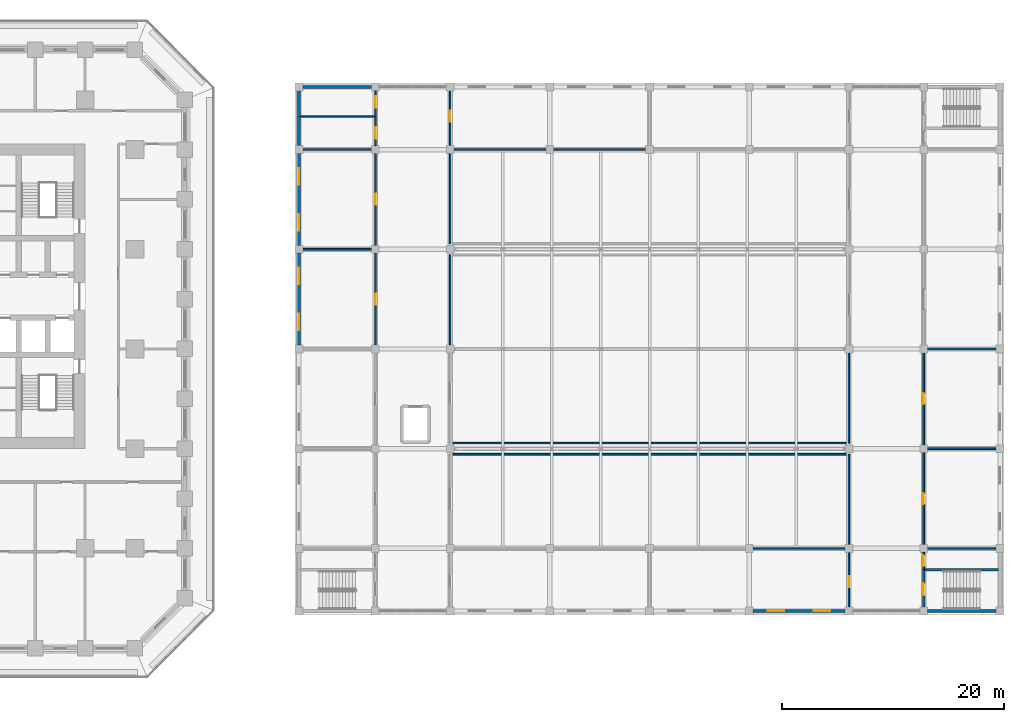
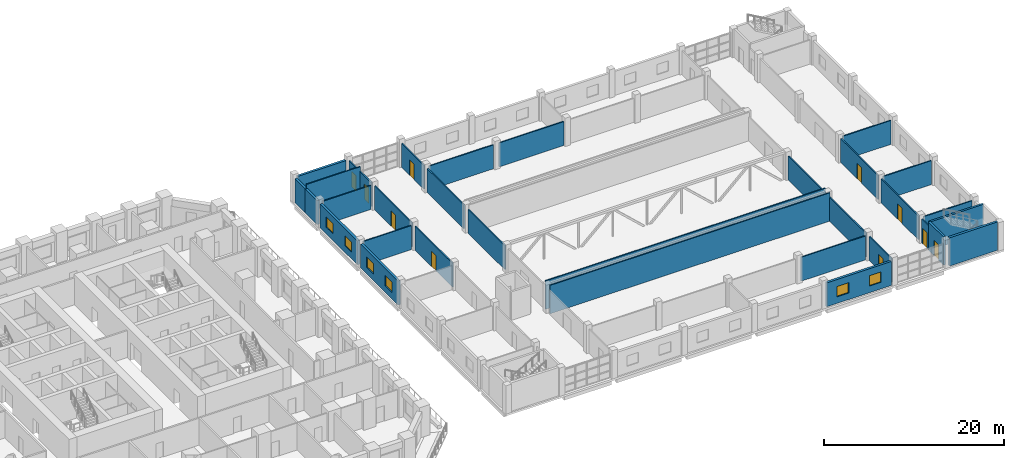
# One storey, part 32 of 42: 33 walls, 10 doors, 6 windows, 16 openings.
"""IFC4 building model written with IfcOpenShell, lengths in metres."""

from ifc_helpers import new_model, si_unit, direction, frame, frame_2d, origin, place, context, subcontext, project, spatial, rectangle, extrude, material, layer, layer_set, type_object, element, fill, save


model = new_model("IFC4")

# Units and contexts
model_context = context("Model", 3, precision=1e-05, world=origin(), true_north=direction((0.0, 1.0)))
body_context = subcontext(model_context, "Body", "Model", "MODEL_VIEW")
ifc_project = project(units=[si_unit("LENGTHUNIT", "METRE"), si_unit("AREAUNIT", "SQUARE_METRE"), si_unit("VOLUMEUNIT", "CUBIC_METRE"), si_unit("PLANEANGLEUNIT", "RADIAN"), si_unit("MASSUNIT", "GRAM", prefix="KILO")], contexts=[model_context])

# Site, building, storey
site_placement = place(None, origin())
site = spatial("IfcSite", under=ifc_project, at=site_placement, CompositionType="ELEMENT")
building_placement = place(site_placement, origin())
building = spatial("IfcBuilding", under=site, at=building_placement, Name="Corbel Stack Research Tower", CompositionType="ELEMENT")
storey_placement = place(building_placement, frame((0.0, 0.0, 11.300048828125)))
storey = spatial("IfcBuildingStorey", under=building, at=storey_placement, Name="L02", CompositionType="ELEMENT", Elevation=11.300048828125)

# Wall, openings, windows
ifc_material_1 = material(Name="Concrete C40/50", Category="concrete")
ifc_layer_1 = layer(ifc_material_1, 0.300048828125)
ifc_layer_set_1 = layer_set([ifc_layer_1], Name="Concrete C40/50")
wall_type_1 = type_object("IfcWallType", Name="HW1 exterior wall 300", PredefinedType="SOLIDWALL", material=ifc_layer_set_1)
wall_1_placement = place(storey_placement, frame((78.300048828125, -23.64990234375, 0.0), z_axis=(0.0, 0.0, 1.0), x_axis=(1.0, 0.0, 0.0)))
wall_1 = element("IfcWall", 1, at=wall_1_placement, inside=storey, type_object=wall_type_1, Name="Exterior wall L02 h-23.65/78.3", PredefinedType="SOLIDWALL", context=body_context, shape_type="SweptSolid", body=[
    extrude(rectangle(XDim=8.300048828125, YDim=0.300048828125, at=frame_2d((4.14990234375, 0.0))), origin(), (0.0, 0.0, 1.0), 3.25),
])
opening_1_placement = place(wall_1_placement, frame((1.324951171875, 0.0, 0.89990234375)))
opening_1 = element("IfcOpeningElement", 2, at=opening_1_placement, cuts=wall_1, Name="Opening HX1", PredefinedType="OPENING", context=body_context, shape_type="SweptSolid", body=[
    extrude(rectangle(XDim=1.5, YDim=1.39990234375, at=frame_2d((0.75, 0.699951171875))), frame((0.0, 0.159912109375, 0.0), z_axis=(0.0, -1.0, 0.0), x_axis=(1.0, 0.0, 0.0)), (0.0, 0.0, 1.0), 0.320068359375),
])
opening_2_placement = place(wall_1_placement, frame((5.47509765625, 0.0, 0.89990234375)))
opening_2 = element("IfcOpeningElement", 3, at=opening_2_placement, cuts=wall_1, Name="Opening HX1", PredefinedType="OPENING", context=body_context, shape_type="SweptSolid", body=[
    extrude(rectangle(XDim=1.5, YDim=1.39990234375, at=frame_2d((0.75, 0.699951171875))), frame((0.0, 0.159912109375, 0.0), z_axis=(0.0, -1.0, 0.0), x_axis=(1.0, 0.0, 0.0)), (0.0, 0.0, 1.0), 0.320068359375),
])
ifc_material_2 = material(Name="Glass and aluminium", Category="aluminium")
window_type = type_object("IfcWindowType", Name="HW6 window 1500 x 1400", PartitioningType="SINGLE_PANEL", PredefinedType="WINDOW", material=ifc_material_2)
window_1_placement = place(opening_1_placement, origin())
window_1 = element("IfcWindow", 4, at=window_1_placement, inside=storey, type_object=window_type, Name="Window L02 Club room 2", OverallHeight=1.39990234375, OverallWidth=1.5, PartitioningType="SINGLE_PANEL", PredefinedType="WINDOW", context=body_context, shape_type="SweptSolid", body=[
    extrude(rectangle(XDim=1.5, YDim=1.39990234375, at=frame_2d((0.75, 0.699951171875))), frame((0.0, 0.030029296875, 0.0), z_axis=(0.0, -1.0, 0.0), x_axis=(1.0, 0.0, 0.0)), (0.0, 0.0, 1.0), 0.06005859375),
])
fill(opening_1, window_1)
window_2_placement = place(opening_2_placement, origin())
window_2 = element("IfcWindow", 5, at=window_2_placement, inside=storey, type_object=window_type, Name="Window L02 Club room 2", OverallHeight=1.39990234375, OverallWidth=1.5, PartitioningType="SINGLE_PANEL", PredefinedType="WINDOW", context=body_context, shape_type="SweptSolid", body=[
    extrude(rectangle(XDim=1.5, YDim=1.39990234375, at=frame_2d((0.75, 0.699951171875))), frame((0.0, 0.030029296875, 0.0), z_axis=(0.0, -1.0, 0.0), x_axis=(1.0, 0.0, 0.0)), (0.0, 0.0, 1.0), 0.06005859375),
])
fill(opening_2, window_2)

# Wall
wall_2_placement = place(storey_placement, frame((37.64990234375, 23.64990234375, 0.0), z_axis=(0.0, 0.0, 1.0), x_axis=(1.0, 0.0, 0.0)))
element("IfcWall", 6, at=wall_2_placement, inside=storey, type_object=wall_type_1, Name="Exterior wall L02 h23.65/37.6", PredefinedType="SOLIDWALL", context=body_context, shape_type="SweptSolid", body=[
    extrude(rectangle(XDim=6.2001953125, YDim=0.300048828125, at=frame_2d((3.10009765625, 0.0))), origin(), (0.0, 0.0, 1.0), 3.25),
])

# Wall, openings, windows
wall_3_placement = place(storey_placement, frame((37.300048828125, 0.35009765625, 0.0), z_axis=(0.0, 0.0, 1.0), x_axis=(0.0, 1.0, 0.0)))
wall_3 = element("IfcWall", 7, at=wall_3_placement, inside=storey, type_object=wall_type_1, Name="Exterior wall L02 v37.30/0.3", PredefinedType="SOLIDWALL", context=body_context, shape_type="SweptSolid", body=[
    extrude(rectangle(XDim=8.2998046875, YDim=0.300048828125, at=frame_2d((4.14990234375, 0.0))), origin(), (0.0, 0.0, 1.0), 3.25),
])
opening_3_placement = place(wall_3_placement, frame((1.324951171875, 0.0, 0.89990234375)))
opening_3 = element("IfcOpeningElement", 8, at=opening_3_placement, cuts=wall_3, Name="Opening HX1", PredefinedType="OPENING", context=body_context, shape_type="SweptSolid", body=[
    extrude(rectangle(XDim=1.5, YDim=1.39990234375, at=frame_2d((0.75, 0.699951171875))), frame((0.0, 0.159912109375, 0.0), z_axis=(0.0, -1.0, 0.0), x_axis=(1.0, 0.0, 0.0)), (0.0, 0.0, 1.0), 0.320068359375),
])
opening_4_placement = place(wall_3_placement, frame((5.47509765625, 0.0, 0.89990234375)))
opening_4 = element("IfcOpeningElement", 9, at=opening_4_placement, cuts=wall_3, Name="Opening HX1", PredefinedType="OPENING", context=body_context, shape_type="SweptSolid", body=[
    extrude(rectangle(XDim=1.5, YDim=1.39990234375, at=frame_2d((0.75, 0.699951171875))), frame((0.0, 0.159912109375, 0.0), z_axis=(0.0, -1.0, 0.0), x_axis=(1.0, 0.0, 0.0)), (0.0, 0.0, 1.0), 0.320068359375),
])
window_3_placement = place(opening_3_placement, origin())
window_3 = element("IfcWindow", 10, at=window_3_placement, inside=storey, type_object=window_type, Name="Window L02 Meeting room 1", OverallHeight=1.39990234375, OverallWidth=1.5, PartitioningType="SINGLE_PANEL", PredefinedType="WINDOW", context=body_context, shape_type="SweptSolid", body=[
    extrude(rectangle(XDim=1.5, YDim=1.39990234375, at=frame_2d((0.75, 0.699951171875))), frame((0.0, 0.030029296875, 0.0), z_axis=(0.0, -1.0, 0.0), x_axis=(1.0, 0.0, 0.0)), (0.0, 0.0, 1.0), 0.06005859375),
])
fill(opening_3, window_3)
window_4_placement = place(opening_4_placement, origin())
window_4 = element("IfcWindow", 11, at=window_4_placement, inside=storey, type_object=window_type, Name="Window L02 Meeting room 1", OverallHeight=1.39990234375, OverallWidth=1.5, PartitioningType="SINGLE_PANEL", PredefinedType="WINDOW", context=body_context, shape_type="SweptSolid", body=[
    extrude(rectangle(XDim=1.5, YDim=1.39990234375, at=frame_2d((0.75, 0.699951171875))), frame((0.0, 0.030029296875, 0.0), z_axis=(0.0, -1.0, 0.0), x_axis=(1.0, 0.0, 0.0)), (0.0, 0.0, 1.0), 0.06005859375),
])
fill(opening_4, window_4)

wall_4_placement = place(storey_placement, frame((37.300048828125, 9.35009765625, 0.0), z_axis=(0.0, 0.0, 1.0), x_axis=(0.0, 1.0, 0.0)))
wall_4 = element("IfcWall", 12, at=wall_4_placement, inside=storey, type_object=wall_type_1, Name="Exterior wall L02 v37.30/9.3", PredefinedType="SOLIDWALL", context=body_context, shape_type="SweptSolid", body=[
    extrude(rectangle(XDim=8.2998046875, YDim=0.300048828125, at=frame_2d((4.14990234375, 0.0))), origin(), (0.0, 0.0, 1.0), 3.25),
])
opening_5_placement = place(wall_4_placement, frame((1.324951171875, 0.0, 0.89990234375)))
opening_5 = element("IfcOpeningElement", 13, at=opening_5_placement, cuts=wall_4, Name="Opening HX1", PredefinedType="OPENING", context=body_context, shape_type="SweptSolid", body=[
    extrude(rectangle(XDim=1.5, YDim=1.39990234375, at=frame_2d((0.75, 0.699951171875))), frame((0.0, 0.159912109375, 0.0), z_axis=(0.0, -1.0, 0.0), x_axis=(1.0, 0.0, 0.0)), (0.0, 0.0, 1.0), 0.320068359375),
])
opening_6_placement = place(wall_4_placement, frame((5.47509765625, 0.0, 0.89990234375)))
opening_6 = element("IfcOpeningElement", 14, at=opening_6_placement, cuts=wall_4, Name="Opening HX1", PredefinedType="OPENING", context=body_context, shape_type="SweptSolid", body=[
    extrude(rectangle(XDim=1.5, YDim=1.39990234375, at=frame_2d((0.75, 0.699951171875))), frame((0.0, 0.159912109375, 0.0), z_axis=(0.0, -1.0, 0.0), x_axis=(1.0, 0.0, 0.0)), (0.0, 0.0, 1.0), 0.320068359375),
])
window_5_placement = place(opening_5_placement, origin())
window_5 = element("IfcWindow", 15, at=window_5_placement, inside=storey, type_object=window_type, Name="Window L02 Office 3", OverallHeight=1.39990234375, OverallWidth=1.5, PartitioningType="SINGLE_PANEL", PredefinedType="WINDOW", context=body_context, shape_type="SweptSolid", body=[
    extrude(rectangle(XDim=1.5, YDim=1.39990234375, at=frame_2d((0.75, 0.699951171875))), frame((0.0, 0.030029296875, 0.0), z_axis=(0.0, -1.0, 0.0), x_axis=(1.0, 0.0, 0.0)), (0.0, 0.0, 1.0), 0.06005859375),
])
fill(opening_5, window_5)
window_6_placement = place(opening_6_placement, origin())
window_6 = element("IfcWindow", 16, at=window_6_placement, inside=storey, type_object=window_type, Name="Window L02 Office 3", OverallHeight=1.39990234375, OverallWidth=1.5, PartitioningType="SINGLE_PANEL", PredefinedType="WINDOW", context=body_context, shape_type="SweptSolid", body=[
    extrude(rectangle(XDim=1.5, YDim=1.39990234375, at=frame_2d((0.75, 0.699951171875))), frame((0.0, 0.030029296875, 0.0), z_axis=(0.0, -1.0, 0.0), x_axis=(1.0, 0.0, 0.0)), (0.0, 0.0, 1.0), 0.06005859375),
])
fill(opening_6, window_6)

# Walls
wall_5_placement = place(storey_placement, frame((37.300048828125, 18.35009765625, 0.0), z_axis=(0.0, 0.0, 1.0), x_axis=(0.0, 1.0, 0.0)))
element("IfcWall", 17, at=wall_5_placement, inside=storey, type_object=wall_type_1, Name="Exterior wall L02 v37.30/18.4", PredefinedType="SOLIDWALL", context=body_context, shape_type="SweptSolid", body=[
    extrude(rectangle(XDim=2.64990234375, YDim=0.300048828125, at=frame_2d((1.324951171875, 0.0))), origin(), (0.0, 0.0, 1.0), 3.25),
])
wall_6_placement = place(storey_placement, frame((37.300048828125, 21.0, 0.0), z_axis=(0.0, 0.0, 1.0), x_axis=(0.0, 1.0, 0.0)))
element("IfcWall", 18, at=wall_6_placement, inside=storey, type_object=wall_type_1, Name="Exterior wall L02 v37.30/21.0", PredefinedType="SOLIDWALL", context=body_context, shape_type="SweptSolid", body=[
    extrude(rectangle(XDim=2.300048828125, YDim=0.300048828125, at=frame_2d((1.14990234375, 0.0))), origin(), (0.0, 0.0, 1.0), 3.25),
])
ifc_material_3 = material(Name="Concrete C40/50", Category="concrete")
ifc_layer_2 = layer(ifc_material_3, 0.25)
ifc_layer_set_2 = layer_set([ifc_layer_2], Name="Concrete C40/50")
wall_type_2 = type_object("IfcWallType", Name="HW2 core wall C40/50 250", PredefinedType="SHEAR", material=ifc_layer_set_2)
wall_7_placement = place(storey_placement, frame((93.699951171875, -19.925048828125, 0.0), z_axis=(0.0, 0.0, 1.0), x_axis=(1.0, 0.0, 0.0)))
element("IfcWall", 19, at=wall_7_placement, inside=storey, type_object=wall_type_2, Name="Wall L02 h-19.93/93.7", PredefinedType="SHEAR", context=body_context, shape_type="SweptSolid", body=[
    extrude(rectangle(XDim=6.900146484375, YDim=0.25, at=frame_2d((3.4501953125, 0.0))), origin(), (0.0, 0.0, 1.0), 3.849853515625),
])

# Wall, opening, door
wall_8_placement = place(storey_placement, frame((93.699951171875, -23.300048828125, 0.0), z_axis=(0.0, 0.0, 1.0), x_axis=(0.0, 1.0, 0.0)))
wall_8 = element("IfcWall", 20, at=wall_8_placement, inside=storey, type_object=wall_type_2, Name="Wall L02 v93.70/-23.3", PredefinedType="SHEAR", context=body_context, shape_type="SweptSolid", body=[
    extrude(rectangle(XDim=3.375, YDim=0.25, at=frame_2d((1.6875, 0.0))), origin(), (0.0, 0.0, 1.0), 3.849853515625),
])
opening_7_placement = place(wall_8_placement, frame((1.050048828125, 0.0, 0.0)))
opening_7 = element("IfcOpeningElement", 21, at=opening_7_placement, cuts=wall_8, Name="Opening H2-18", PredefinedType="OPENING", context=body_context, shape_type="SweptSolid", body=[
    extrude(rectangle(XDim=1.10009765625, YDim=2.10009765625, at=frame_2d((0.550048828125, 1.050048828125))), frame((0.0, 0.135009765625, 0.0), z_axis=(0.0, -1.0, 0.0), x_axis=(1.0, 0.0, 0.0)), (0.0, 0.0, 1.0), 0.27001953125),
])
ifc_material_4 = material(Name="Steel", Category="steel")
door_type_1 = type_object("IfcDoorType", Name="HD4 fire door 1100 x 2100", OperationType="NOTDEFINED", PredefinedType="DOOR", material=ifc_material_4)
door_1_placement = place(opening_7_placement, origin())
door_1 = element("IfcDoor", 22, at=door_1_placement, inside=storey, type_object=door_type_1, Name="Door H2-18", OperationType="SINGLE_SWING_LEFT", OverallHeight=2.10009765625, OverallWidth=1.10009765625, PredefinedType="DOOR", context=body_context, shape_type="SweptSolid", body=[
    extrude(rectangle(XDim=1.10009765625, YDim=2.10009765625, at=frame_2d((0.550048828125, 1.050048828125))), frame((0.0, 0.02490234375, 0.0), z_axis=(0.0, -1.0, 0.0), x_axis=(1.0, 0.0, 0.0)), (0.0, 0.0, 1.0), 0.050048828125),
])
fill(opening_7, door_1)

# Walls
ifc_material_5 = material(Name="Concrete masonry unit", Category="masonry")
ifc_layer_3 = layer(ifc_material_5, 0.14990234375)
ifc_layer_set_3 = layer_set([ifc_layer_3], Name="Concrete masonry unit")
wall_type_3 = type_object("IfcWallType", Name="HW3 partition 150", PredefinedType="PARTITIONING", material=ifc_layer_set_3)
wall_9_placement = place(storey_placement, frame((78.300048828125, -18.0, 0.0), z_axis=(0.0, 0.0, 1.0), x_axis=(1.0, 0.0, 0.0)))
element("IfcWall", 23, at=wall_9_placement, inside=storey, type_object=wall_type_3, Name="Wall L02 h-18.00/78.3", PredefinedType="PARTITIONING", context=body_context, shape_type="SweptSolid", body=[
    extrude(rectangle(XDim=8.300048828125, YDim=0.14990234375, at=frame_2d((4.14990234375, 0.0))), origin(), (0.0, 0.0, 1.0), 3.25),
])
wall_10_placement = place(storey_placement, frame((94.050048828125, -18.0, 0.0), z_axis=(0.0, 0.0, 1.0), x_axis=(1.0, 0.0, 0.0)))
element("IfcWall", 24, at=wall_10_placement, inside=storey, type_object=wall_type_3, Name="Wall L02 h-18.00/94.0", PredefinedType="PARTITIONING", context=body_context, shape_type="SweptSolid", body=[
    extrude(rectangle(XDim=6.199951171875, YDim=0.14990234375, at=frame_2d((3.10009765625, 0.0))), origin(), (0.0, 0.0, 1.0), 3.25),
])
wall_11_placement = place(storey_placement, frame((50.949951171875, -9.5, 0.0), z_axis=(0.0, 0.0, 1.0), x_axis=(1.0, 0.0, 0.0)))
element("IfcWall", 25, at=wall_11_placement, inside=storey, type_object=wall_type_3, Name="Wall L02 h-9.50/51.0", PredefinedType="PARTITIONING", context=body_context, shape_type="SweptSolid", body=[
    extrude(rectangle(XDim=36.0, YDim=0.14990234375, at=frame_2d((18.0, 0.0))), origin(), (0.0, 0.0, 1.0), 3.849853515625),
])
wall_12_placement = place(storey_placement, frame((94.050048828125, -9.0, 0.0), z_axis=(0.0, 0.0, 1.0), x_axis=(1.0, 0.0, 0.0)))
element("IfcWall", 26, at=wall_12_placement, inside=storey, type_object=wall_type_3, Name="Wall L02 h-9.00/94.0", PredefinedType="PARTITIONING", context=body_context, shape_type="SweptSolid", body=[
    extrude(rectangle(XDim=6.199951171875, YDim=0.14990234375, at=frame_2d((3.10009765625, 0.0))), origin(), (0.0, 0.0, 1.0), 3.25),
])
wall_13_placement = place(storey_placement, frame((50.949951171875, -8.5, 0.0), z_axis=(0.0, 0.0, 1.0), x_axis=(1.0, 0.0, 0.0)))
element("IfcWall", 27, at=wall_13_placement, inside=storey, type_object=wall_type_3, Name="Wall L02 h-8.50/51.0", PredefinedType="PARTITIONING", context=body_context, shape_type="SweptSolid", body=[
    extrude(rectangle(XDim=36.0, YDim=0.14990234375, at=frame_2d((18.0, 0.0))), origin(), (0.0, 0.0, 1.0), 3.849853515625),
])
wall_14_placement = place(storey_placement, frame((94.050048828125, 0.0, 0.0), z_axis=(0.0, 0.0, 1.0), x_axis=(1.0, 0.0, 0.0)))
element("IfcWall", 28, at=wall_14_placement, inside=storey, type_object=wall_type_3, Name="Wall L02 h0.00/94.0", PredefinedType="PARTITIONING", context=body_context, shape_type="SweptSolid", body=[
    extrude(rectangle(XDim=6.199951171875, YDim=0.14990234375, at=frame_2d((3.10009765625, 0.0))), origin(), (0.0, 0.0, 1.0), 3.25),
])
for number, where, z_axis, x_axis, name in (
    (29, (37.64990234375, 9.0, 0.0), (0.0, 0.0, 1.0), (1.0, 0.0, 0.0), "Wall L02 h9.00/37.6"),
    (30, (37.64990234375, 18.0, 0.0), (0.0, 0.0, 1.0), (1.0, 0.0, 0.0), "Wall L02 h18.00/37.6"),
):
    element("IfcWall", number, at=place(storey_placement, frame(where, z_axis=z_axis, x_axis=x_axis)), inside=storey, type_object=wall_type_3, Name=name, PredefinedType="PARTITIONING", context=body_context, shape_type="SweptSolid", body=[
        extrude(rectangle(XDim=6.2001953125, YDim=0.14990234375, at=frame_2d((3.10009765625, 0.0))), origin(), (0.0, 0.0, 1.0), 3.25),
    ])
for number, where, z_axis, x_axis, name in (
    (31, (51.300048828125, 18.0, 0.0), (0.0, 0.0, 1.0), (1.0, 0.0, 0.0), "Wall L02 h18.00/51.3"),
    (32, (60.300048828125, 18.0, 0.0), (0.0, 0.0, 1.0), (1.0, 0.0, 0.0), "Wall L02 h18.00/60.3"),
):
    element("IfcWall", number, at=place(storey_placement, frame(where, z_axis=z_axis, x_axis=x_axis)), inside=storey, type_object=wall_type_3, Name=name, PredefinedType="PARTITIONING", context=body_context, shape_type="SweptSolid", body=[
        extrude(rectangle(XDim=8.300048828125, YDim=0.14990234375, at=frame_2d((4.14990234375, 0.0))), origin(), (0.0, 0.0, 1.0), 3.25),
    ])
wall_15_placement = place(storey_placement, frame((37.300048828125, 21.0, 0.0), z_axis=(0.0, 0.0, 1.0), x_axis=(1.0, 0.0, 0.0)))
element("IfcWall", 33, at=wall_15_placement, inside=storey, type_object=wall_type_3, Name="Wall L02 h21.00/37.3", PredefinedType="PARTITIONING", context=body_context, shape_type="SweptSolid", body=[
    extrude(rectangle(XDim=6.89990234375, YDim=0.14990234375, at=frame_2d((3.449951171875, 0.0))), origin(), (0.0, 0.0, 1.0), 3.849853515625),
])

# Wall, opening, door
wall_16_placement = place(storey_placement, frame((44.199951171875, 0.35009765625, 0.0), z_axis=(0.0, 0.0, 1.0), x_axis=(0.0, 1.0, 0.0)))
wall_16 = element("IfcWall", 34, at=wall_16_placement, inside=storey, type_object=wall_type_3, Name="Wall L02 v44.20/0.3", PredefinedType="PARTITIONING", context=body_context, shape_type="SweptSolid", body=[
    extrude(rectangle(XDim=8.2998046875, YDim=0.14990234375, at=frame_2d((4.14990234375, 0.0))), origin(), (0.0, 0.0, 1.0), 3.25),
])
opening_8_placement = place(wall_16_placement, frame((3.64990234375, 0.0, 0.0)))
opening_8 = element("IfcOpeningElement", 35, at=opening_8_placement, cuts=wall_16, Name="Opening H2-06", PredefinedType="OPENING", context=body_context, shape_type="SweptSolid", body=[
    extrude(rectangle(XDim=1.0, YDim=2.10009765625, at=frame_2d((0.5, 1.050048828125))), frame((0.0, 0.0849609375, 0.0), z_axis=(0.0, -1.0, 0.0), x_axis=(1.0, 0.0, 0.0)), (0.0, 0.0, 1.0), 0.169921875),
])
ifc_material_6 = material(Name="Timber", Category="wood")
door_type_2 = type_object("IfcDoorType", Name="HD1 single door 1000 x 2100", OperationType="NOTDEFINED", PredefinedType="DOOR", material=ifc_material_6)
door_2_placement = place(opening_8_placement, origin())
door_2 = element("IfcDoor", 36, at=door_2_placement, inside=storey, type_object=door_type_2, Name="Door H2-06", OperationType="SINGLE_SWING_LEFT", OverallHeight=2.10009765625, OverallWidth=1.0, PredefinedType="DOOR", context=body_context, shape_type="SweptSolid", body=[
    extrude(rectangle(XDim=1.0, YDim=2.10009765625, at=frame_2d((0.5, 1.050048828125))), frame((0.0, 0.02490234375, 0.0), z_axis=(0.0, -1.0, 0.0), x_axis=(1.0, 0.0, 0.0)), (0.0, 0.0, 1.0), 0.050048828125),
])
fill(opening_8, door_2)

wall_17_placement = place(storey_placement, frame((44.199951171875, 9.35009765625, 0.0), z_axis=(0.0, 0.0, 1.0), x_axis=(0.0, 1.0, 0.0)))
wall_17 = element("IfcWall", 37, at=wall_17_placement, inside=storey, type_object=wall_type_3, Name="Wall L02 v44.20/9.3", PredefinedType="PARTITIONING", context=body_context, shape_type="SweptSolid", body=[
    extrude(rectangle(XDim=8.2998046875, YDim=0.14990234375, at=frame_2d((4.14990234375, 0.0))), origin(), (0.0, 0.0, 1.0), 3.25),
])
opening_9_placement = place(wall_17_placement, frame((3.64990234375, 0.0, 0.0)))
opening_9 = element("IfcOpeningElement", 38, at=opening_9_placement, cuts=wall_17, Name="Opening H2-07", PredefinedType="OPENING", context=body_context, shape_type="SweptSolid", body=[
    extrude(rectangle(XDim=1.0, YDim=2.10009765625, at=frame_2d((0.5, 1.050048828125))), frame((0.0, 0.0849609375, 0.0), z_axis=(0.0, -1.0, 0.0), x_axis=(1.0, 0.0, 0.0)), (0.0, 0.0, 1.0), 0.169921875),
])
door_3_placement = place(opening_9_placement, origin())
door_3 = element("IfcDoor", 39, at=door_3_placement, inside=storey, type_object=door_type_2, Name="Door H2-07", OperationType="SINGLE_SWING_RIGHT", OverallHeight=2.10009765625, OverallWidth=1.0, PredefinedType="DOOR", context=body_context, shape_type="SweptSolid", body=[
    extrude(rectangle(XDim=1.0, YDim=2.10009765625, at=frame_2d((0.5, 1.050048828125))), frame((0.0, 0.02490234375, 0.0), z_axis=(0.0, -1.0, 0.0), x_axis=(1.0, 0.0, 0.0)), (0.0, 0.0, 1.0), 0.050048828125),
])
fill(opening_9, door_3)

wall_18_placement = place(storey_placement, frame((44.199951171875, 18.35009765625, 0.0), z_axis=(0.0, 0.0, 1.0), x_axis=(0.0, 1.0, 0.0)))
wall_18 = element("IfcWall", 40, at=wall_18_placement, inside=storey, type_object=wall_type_3, Name="Wall L02 v44.20/18.4", PredefinedType="PARTITIONING", context=body_context, shape_type="SweptSolid", body=[
    extrude(rectangle(XDim=2.64990234375, YDim=0.14990234375, at=frame_2d((1.324951171875, 0.0))), origin(), (0.0, 0.0, 1.0), 3.25),
])
opening_10_placement = place(wall_18_placement, frame((0.64990234375, 0.0, 0.0)))
opening_10 = element("IfcOpeningElement", 41, at=opening_10_placement, cuts=wall_18, Name="Opening H2-08", PredefinedType="OPENING", context=body_context, shape_type="SweptSolid", body=[
    extrude(rectangle(XDim=1.0, YDim=2.10009765625, at=frame_2d((0.5, 1.050048828125))), frame((0.0, 0.0849609375, 0.0), z_axis=(0.0, -1.0, 0.0), x_axis=(1.0, 0.0, 0.0)), (0.0, 0.0, 1.0), 0.169921875),
])
door_4_placement = place(opening_10_placement, origin())
door_4 = element("IfcDoor", 42, at=door_4_placement, inside=storey, type_object=door_type_2, Name="Door H2-08", OperationType="SINGLE_SWING_LEFT", OverallHeight=2.10009765625, OverallWidth=1.0, PredefinedType="DOOR", context=body_context, shape_type="SweptSolid", body=[
    extrude(rectangle(XDim=1.0, YDim=2.10009765625, at=frame_2d((0.5, 1.050048828125))), frame((0.0, 0.02490234375, 0.0), z_axis=(0.0, -1.0, 0.0), x_axis=(1.0, 0.0, 0.0)), (0.0, 0.0, 1.0), 0.050048828125),
])
fill(opening_10, door_4)

wall_19_placement = place(storey_placement, frame((44.199951171875, 21.0, 0.0), z_axis=(0.0, 0.0, 1.0), x_axis=(0.0, 1.0, 0.0)))
wall_19 = element("IfcWall", 43, at=wall_19_placement, inside=storey, type_object=wall_type_3, Name="Wall L02 v44.20/21.0", PredefinedType="PARTITIONING", context=body_context, shape_type="SweptSolid", body=[
    extrude(rectangle(XDim=2.300048828125, YDim=0.14990234375, at=frame_2d((1.14990234375, 0.0))), origin(), (0.0, 0.0, 1.0), 3.25),
])
opening_11_placement = place(wall_19_placement, frame((0.800048828125, 0.0, 0.0)))
opening_11 = element("IfcOpeningElement", 44, at=opening_11_placement, cuts=wall_19, Name="Opening H2-09", PredefinedType="OPENING", context=body_context, shape_type="SweptSolid", body=[
    extrude(rectangle(XDim=1.0, YDim=2.10009765625, at=frame_2d((0.5, 1.050048828125))), frame((0.0, 0.0849609375, 0.0), z_axis=(0.0, -1.0, 0.0), x_axis=(1.0, 0.0, 0.0)), (0.0, 0.0, 1.0), 0.169921875),
])
door_5_placement = place(opening_11_placement, origin())
door_5 = element("IfcDoor", 45, at=door_5_placement, inside=storey, type_object=door_type_2, Name="Door H2-09", OperationType="SINGLE_SWING_RIGHT", OverallHeight=2.10009765625, OverallWidth=1.0, PredefinedType="DOOR", context=body_context, shape_type="SweptSolid", body=[
    extrude(rectangle(XDim=1.0, YDim=2.10009765625, at=frame_2d((0.5, 1.050048828125))), frame((0.0, 0.02490234375, 0.0), z_axis=(0.0, -1.0, 0.0), x_axis=(1.0, 0.0, 0.0)), (0.0, 0.0, 1.0), 0.050048828125),
])
fill(opening_11, door_5)

# Walls
for number, where, z_axis, x_axis, name in (
    (46, (50.949951171875, 0.35009765625, 0.0), (0.0, 0.0, 1.0), (0.0, 1.0, 0.0), "Wall L02 v50.95/0.3"),
    (47, (50.949951171875, 9.5, 0.0), (0.0, 0.0, 1.0), (0.0, 1.0, 0.0), "Wall L02 v50.95/9.5"),
):
    element("IfcWall", number, at=place(storey_placement, frame(where, z_axis=z_axis, x_axis=x_axis)), inside=storey, type_object=wall_type_3, Name=name, PredefinedType="PARTITIONING", context=body_context, shape_type="SweptSolid", body=[
        extrude(rectangle(XDim=8.14990234375, YDim=0.14990234375, at=frame_2d((4.074951171875, 0.0))), origin(), (0.0, 0.0, 1.0), 3.25),
    ])

# Wall, opening, door
wall_20_placement = place(storey_placement, frame((50.949951171875, 23.300048828125, 0.0), z_axis=(0.0, 0.0, 1.0), x_axis=(0.0, -1.0, 0.0)))
wall_20 = element("IfcWall", 48, at=wall_20_placement, inside=storey, type_object=wall_type_3, Name="Wall L02 v50.95/18.4", PredefinedType="PARTITIONING", context=body_context, shape_type="SweptSolid", body=[
    extrude(rectangle(XDim=4.949951171875, YDim=0.14990234375, at=frame_2d((2.47509765625, 0.0))), origin(), (0.0, 0.0, 1.0), 3.25),
])
opening_12_placement = place(wall_20_placement, frame((1.800048828125, 0.0, 0.0)))
opening_12 = element("IfcOpeningElement", 49, at=opening_12_placement, cuts=wall_20, Name="Opening H2-13", PredefinedType="OPENING", context=body_context, shape_type="SweptSolid", body=[
    extrude(rectangle(XDim=1.0, YDim=2.10009765625, at=frame_2d((0.5, 1.050048828125))), frame((0.0, 0.0849609375, 0.0), z_axis=(0.0, -1.0, 0.0), x_axis=(1.0, 0.0, 0.0)), (0.0, 0.0, 1.0), 0.169921875),
])
door_6_placement = place(opening_12_placement, origin())
door_6 = element("IfcDoor", 50, at=door_6_placement, inside=storey, type_object=door_type_2, Name="Door H2-13", OperationType="SINGLE_SWING_RIGHT", OverallHeight=2.10009765625, OverallWidth=1.0, PredefinedType="DOOR", context=body_context, shape_type="SweptSolid", body=[
    extrude(rectangle(XDim=1.0, YDim=2.10009765625, at=frame_2d((0.5, 1.050048828125))), frame((0.0, 0.02490234375, 0.0), z_axis=(0.0, -1.0, 0.0), x_axis=(1.0, 0.0, 0.0)), (0.0, 0.0, 1.0), 0.050048828125),
])
fill(opening_12, door_6)

wall_21_placement = place(storey_placement, frame((86.949951171875, -23.300048828125, 0.0), z_axis=(0.0, 0.0, 1.0), x_axis=(0.0, 1.0, 0.0)))
wall_21 = element("IfcWall", 51, at=wall_21_placement, inside=storey, type_object=wall_type_3, Name="Wall L02 v86.95/-23.3", PredefinedType="PARTITIONING", context=body_context, shape_type="SweptSolid", body=[
    extrude(rectangle(XDim=4.949951171875, YDim=0.14990234375, at=frame_2d((2.47509765625, 0.0))), origin(), (0.0, 0.0, 1.0), 3.25),
])
opening_13_placement = place(wall_21_placement, frame((1.800048828125, 0.0, 0.0)))
opening_13 = element("IfcOpeningElement", 52, at=opening_13_placement, cuts=wall_21, Name="Opening H2-14", PredefinedType="OPENING", context=body_context, shape_type="SweptSolid", body=[
    extrude(rectangle(XDim=1.0, YDim=2.10009765625, at=frame_2d((0.5, 1.050048828125))), frame((0.0, 0.0849609375, 0.0), z_axis=(0.0, -1.0, 0.0), x_axis=(1.0, 0.0, 0.0)), (0.0, 0.0, 1.0), 0.169921875),
])
door_7_placement = place(opening_13_placement, origin())
door_7 = element("IfcDoor", 53, at=door_7_placement, inside=storey, type_object=door_type_2, Name="Door H2-14", OperationType="SINGLE_SWING_LEFT", OverallHeight=2.10009765625, OverallWidth=1.0, PredefinedType="DOOR", context=body_context, shape_type="SweptSolid", body=[
    extrude(rectangle(XDim=1.0, YDim=2.10009765625, at=frame_2d((0.5, 1.050048828125))), frame((0.0, 0.02490234375, 0.0), z_axis=(0.0, -1.0, 0.0), x_axis=(1.0, 0.0, 0.0)), (0.0, 0.0, 1.0), 0.050048828125),
])
fill(opening_13, door_7)

# Walls
for number, where, z_axis, x_axis, name in (
    (54, (86.949951171875, -17.64990234375, 0.0), (0.0, 0.0, 1.0), (0.0, 1.0, 0.0), "Wall L02 v86.95/-17.6"),
    (55, (86.949951171875, -8.5, 0.0), (0.0, 0.0, 1.0), (0.0, 1.0, 0.0), "Wall L02 v86.95/-8.5"),
):
    element("IfcWall", number, at=place(storey_placement, frame(where, z_axis=z_axis, x_axis=x_axis)), inside=storey, type_object=wall_type_3, Name=name, PredefinedType="PARTITIONING", context=body_context, shape_type="SweptSolid", body=[
        extrude(rectangle(XDim=8.14990234375, YDim=0.14990234375, at=frame_2d((4.074951171875, 0.0))), origin(), (0.0, 0.0, 1.0), 3.25),
    ])

# Wall, opening, door
wall_22_placement = place(storey_placement, frame((93.699951171875, -18.35009765625, 0.0), z_axis=(0.0, 0.0, 1.0), x_axis=(0.0, -1.0, 0.0)))
wall_22 = element("IfcWall", 56, at=wall_22_placement, inside=storey, type_object=wall_type_3, Name="Wall L02 v93.70/-19.9", PredefinedType="PARTITIONING", context=body_context, shape_type="SweptSolid", body=[
    extrude(rectangle(XDim=1.574951171875, YDim=0.14990234375, at=frame_2d((0.78759765625, 0.0))), origin(), (0.0, 0.0, 1.0), 3.25),
])
opening_14_placement = place(wall_22_placement, frame((0.25, 0.0, 0.0)))
opening_14 = element("IfcOpeningElement", 57, at=opening_14_placement, cuts=wall_22, Name="Opening H2-19", PredefinedType="OPENING", context=body_context, shape_type="SweptSolid", body=[
    extrude(rectangle(XDim=1.0, YDim=2.10009765625, at=frame_2d((0.5, 1.050048828125))), frame((0.0, 0.0849609375, 0.0), z_axis=(0.0, -1.0, 0.0), x_axis=(1.0, 0.0, 0.0)), (0.0, 0.0, 1.0), 0.169921875),
])
door_8_placement = place(opening_14_placement, origin())
door_8 = element("IfcDoor", 58, at=door_8_placement, inside=storey, type_object=door_type_2, Name="Door H2-19", OperationType="SINGLE_SWING_RIGHT", OverallHeight=2.10009765625, OverallWidth=1.0, PredefinedType="DOOR", context=body_context, shape_type="SweptSolid", body=[
    extrude(rectangle(XDim=1.0, YDim=2.10009765625, at=frame_2d((0.5, 1.050048828125))), frame((0.0, 0.02490234375, 0.0), z_axis=(0.0, -1.0, 0.0), x_axis=(1.0, 0.0, 0.0)), (0.0, 0.0, 1.0), 0.050048828125),
])
fill(opening_14, door_8)

wall_23_placement = place(storey_placement, frame((93.699951171875, -9.35009765625, 0.0), z_axis=(0.0, 0.0, 1.0), x_axis=(0.0, -1.0, 0.0)))
wall_23 = element("IfcWall", 59, at=wall_23_placement, inside=storey, type_object=wall_type_3, Name="Wall L02 v93.70/-17.6", PredefinedType="PARTITIONING", context=body_context, shape_type="SweptSolid", body=[
    extrude(rectangle(XDim=8.2998046875, YDim=0.14990234375, at=frame_2d((4.14990234375, 0.0))), origin(), (0.0, 0.0, 1.0), 3.25),
])
opening_15_placement = place(wall_23_placement, frame((3.64990234375, 0.0, 0.0)))
opening_15 = element("IfcOpeningElement", 60, at=opening_15_placement, cuts=wall_23, Name="Opening H2-20", PredefinedType="OPENING", context=body_context, shape_type="SweptSolid", body=[
    extrude(rectangle(XDim=1.0, YDim=2.10009765625, at=frame_2d((0.5, 1.050048828125))), frame((0.0, 0.0849609375, 0.0), z_axis=(0.0, -1.0, 0.0), x_axis=(1.0, 0.0, 0.0)), (0.0, 0.0, 1.0), 0.169921875),
])
door_9_placement = place(opening_15_placement, origin())
door_9 = element("IfcDoor", 61, at=door_9_placement, inside=storey, type_object=door_type_2, Name="Door H2-20", OperationType="SINGLE_SWING_LEFT", OverallHeight=2.10009765625, OverallWidth=1.0, PredefinedType="DOOR", context=body_context, shape_type="SweptSolid", body=[
    extrude(rectangle(XDim=1.0, YDim=2.10009765625, at=frame_2d((0.5, 1.050048828125))), frame((0.0, 0.02490234375, 0.0), z_axis=(0.0, -1.0, 0.0), x_axis=(1.0, 0.0, 0.0)), (0.0, 0.0, 1.0), 0.050048828125),
])
fill(opening_15, door_9)

wall_24_placement = place(storey_placement, frame((93.699951171875, -0.35009765625, 0.0), z_axis=(0.0, 0.0, 1.0), x_axis=(0.0, -1.0, 0.0)))
wall_24 = element("IfcWall", 62, at=wall_24_placement, inside=storey, type_object=wall_type_3, Name="Wall L02 v93.70/-8.7", PredefinedType="PARTITIONING", context=body_context, shape_type="SweptSolid", body=[
    extrude(rectangle(XDim=8.2998046875, YDim=0.14990234375, at=frame_2d((4.14990234375, 0.0))), origin(), (0.0, 0.0, 1.0), 3.25),
])
opening_16_placement = place(wall_24_placement, frame((3.64990234375, 0.0, 0.0)))
opening_16 = element("IfcOpeningElement", 63, at=opening_16_placement, cuts=wall_24, Name="Opening H2-21", PredefinedType="OPENING", context=body_context, shape_type="SweptSolid", body=[
    extrude(rectangle(XDim=1.0, YDim=2.10009765625, at=frame_2d((0.5, 1.050048828125))), frame((0.0, 0.0849609375, 0.0), z_axis=(0.0, -1.0, 0.0), x_axis=(1.0, 0.0, 0.0)), (0.0, 0.0, 1.0), 0.169921875),
])
door_10_placement = place(opening_16_placement, origin())
door_10 = element("IfcDoor", 64, at=door_10_placement, inside=storey, type_object=door_type_2, Name="Door H2-21", OperationType="SINGLE_SWING_RIGHT", OverallHeight=2.10009765625, OverallWidth=1.0, PredefinedType="DOOR", context=body_context, shape_type="SweptSolid", body=[
    extrude(rectangle(XDim=1.0, YDim=2.10009765625, at=frame_2d((0.5, 1.050048828125))), frame((0.0, 0.02490234375, 0.0), z_axis=(0.0, -1.0, 0.0), x_axis=(1.0, 0.0, 0.0)), (0.0, 0.0, 1.0), 0.050048828125),
])
fill(opening_16, door_10)

# Wall
ifc_material_7 = material(Name="Concrete C40/50", Category="concrete")
ifc_layer_4 = layer(ifc_material_7, 0.300048828125)
ifc_layer_set_4 = layer_set([ifc_layer_4], Name="Concrete C40/50")
wall_type_4 = type_object("IfcWallType", Name="HW6 exterior wall C40/50 300", PredefinedType="SHEAR", material=ifc_layer_set_4)
wall_25_placement = place(storey_placement, frame((94.050048828125, -23.64990234375, 0.0), z_axis=(0.0, 0.0, 1.0), x_axis=(1.0, 0.0, 0.0)))
element("IfcWall", 65, at=wall_25_placement, inside=storey, type_object=wall_type_4, Name="Exterior wall L02 h-23.65/94.0", PredefinedType="SHEAR", context=body_context, shape_type="SweptSolid", body=[
    extrude(rectangle(XDim=6.199951171875, YDim=0.300048828125, at=frame_2d((3.10009765625, 0.0))), origin(), (0.0, 0.0, 1.0), 3.849853515625),
])

save(model, "model.ifc")
